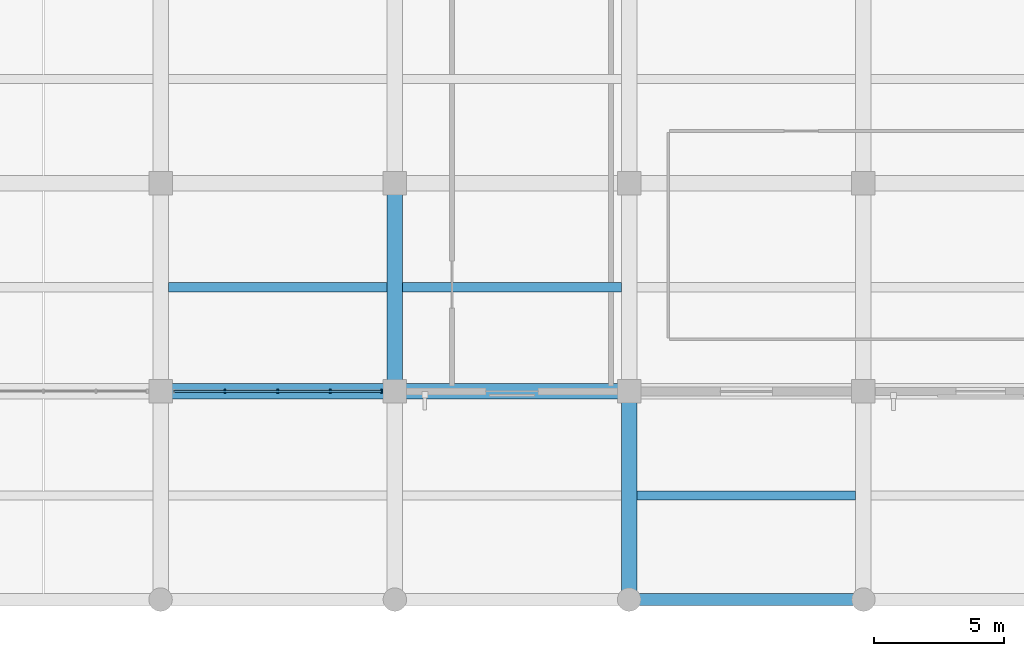
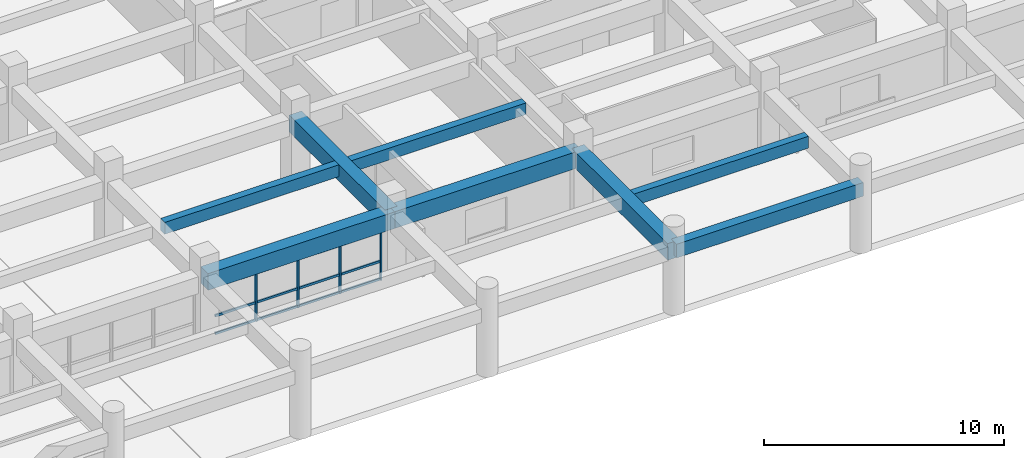
# One storey, part 14 of 40: 8 beams, 7 members, 1 element without a shape of its own.
"""IFC4 building model written with IfcOpenShell, lengths in metres."""

from ifc_helpers import new_model, si_unit, direction, frame, origin, origin_2d, place, context, subcontext, project, spatial, rectangle, extrude, material, material_profile, profile_set, type_object, element, aggregate, save


model = new_model("IFC4")

# Units and contexts
model_context = context("Model", 3, precision=1e-05, world=origin(), true_north=direction((0.0, 1.0)))
body_context = subcontext(model_context, "Body", "Model", "MODEL_VIEW")
ifc_project = project(units=[si_unit("LENGTHUNIT", "METRE"), si_unit("AREAUNIT", "SQUARE_METRE"), si_unit("VOLUMEUNIT", "CUBIC_METRE"), si_unit("PLANEANGLEUNIT", "RADIAN"), si_unit("MASSUNIT", "GRAM", prefix="KILO")], contexts=[model_context])

# Site, building, storey
site_placement = place(None, origin())
site = spatial("IfcSite", under=ifc_project, at=site_placement, CompositionType="ELEMENT")
building_placement = place(site_placement, origin())
building = spatial("IfcBuilding", under=site, at=building_placement, Name="Zaverband Oceanarium and Marine Research Institute", CompositionType="ELEMENT")
storey_placement = place(building_placement, origin())
storey = spatial("IfcBuildingStorey", under=building, at=storey_placement, Name="L00", CompositionType="ELEMENT", Elevation=0.0)

# Beams
ifc_material_1 = material(Name="Concrete C40/50", Category="concrete")
ifc_material_profile_1 = material_profile(ifc_material_1, rectangle(XDim=0.60009765625, YDim=0.85009765625, at=origin_2d()), Name="RC600x850")
ifc_profile_set_1 = profile_set([ifc_material_profile_1], Name="Concrete C40/50")
beam_type_1 = type_object("IfcBeamType", Name="BM-600x850", PredefinedType="BEAM", material=ifc_profile_set_1)
for number, where, z_axis, x_axis, name in (
    (1, (126.0, 8.0, 3.02490234375), (1.0, 0.0, 0.0), (0.0, 1.0, 0.0), "Primary floor girder BM-600x850"),
    (2, (135.0, 8.0, 3.02490234375), (1.0, 0.0, 0.0), (0.0, 1.0, 0.0), "Primary floor girder BM-600x850"),
):
    element("IfcBeam", number, at=place(storey_placement, frame(where, z_axis=z_axis, x_axis=x_axis)), inside=storey, type_object=beam_type_1, Name=name, PredefinedType="BEAM", context=body_context, shape_type="SweptSolid", body=[
        extrude(rectangle(XDim=0.60009765625, YDim=0.85009765625, at=origin_2d()), origin(), (0.0, 0.0, 1.0), 9.0),
    ])
for number, where, z_axis, x_axis, name in (
    (3, (135.0, 8.0, 3.02490234375), (0.0, 1.0, 0.0), (-1.0, 0.0, 0.0), "Primary floor girder BM-600x850"),
    (4, (144.0, 0.0, 3.02490234375), (0.0, 1.0, 0.0), (-1.0, 0.0, 0.0), "Primary floor girder BM-600x850"),
):
    element("IfcBeam", number, at=place(storey_placement, frame(where, z_axis=z_axis, x_axis=x_axis)), inside=storey, type_object=beam_type_1, Name=name, PredefinedType="BEAM", context=body_context, shape_type="SweptSolid", body=[
        extrude(rectangle(XDim=0.60009765625, YDim=0.85009765625, at=origin_2d()), origin(), (0.0, 0.0, 1.0), 8.0),
    ])
ifc_material_profile_2 = material_profile(ifc_material_1, rectangle(XDim=0.35009765625, YDim=0.60009765625, at=origin_2d()), Name="RC350x600")
ifc_profile_set_2 = profile_set([ifc_material_profile_2], Name="Concrete C40/50")
beam_type_2 = type_object("IfcBeamType", Name="JST-350x600", PredefinedType="JOIST", material=ifc_profile_set_2)
for number, where, z_axis, x_axis, name in (
    (5, (126.300048828125, 12.0, 3.14990234375), (1.0, 0.0, 0.0), (0.0, 1.0, 0.0), "Secondary floor joist JST-350x600"),
    (6, (135.300048828125, 12.0, 3.14990234375), (1.0, 0.0, 0.0), (0.0, 1.0, 0.0), "Secondary floor joist JST-350x600"),
    (7, (144.300048828125, 4.0, 3.14990234375), (1.0, 0.0, 0.0), (0.0, 1.0, 0.0), "Secondary floor joist JST-350x600"),
):
    element("IfcBeam", number, at=place(storey_placement, frame(where, z_axis=z_axis, x_axis=x_axis)), inside=storey, type_object=beam_type_2, Name=name, PredefinedType="JOIST", context=body_context, shape_type="SweptSolid", body=[
        extrude(rectangle(XDim=0.35009765625, YDim=0.60009765625, at=origin_2d()), origin(), (0.0, 0.0, 1.0), 8.39990234375),
    ])

# Curtain wall, members
ifc_material_2 = material(Name="Thermally broken anodized aluminium and solar-control glass", Category="aluminium")
curtain_wall_type = type_object("IfcCurtainWallType", Name="CW-UNIT-1800", PredefinedType="NOTDEFINED", material=ifc_material_2)
curtain_wall_placement = place(storey_placement, origin())
curtain_wall = element("IfcCurtainWall", 8, at=curtain_wall_placement, inside=storey, type_object=curtain_wall_type, Name="Unitised glazed curtain wall CW-008", PredefinedType="NOTDEFINED")
ifc_material_3 = material(Name="Thermally broken anodized aluminium", Category="aluminium")
ifc_material_profile_3 = material_profile(ifc_material_3, rectangle(XDim=0.070068359375, YDim=0.14990234375, at=origin_2d()), Name="AL-MUL-70x150")
ifc_profile_set_3 = profile_set([ifc_material_profile_3], Name="Thermally broken anodized aluminium")
member_type_1 = type_object("IfcMemberType", Name="MUL-70x150", PredefinedType="MULLION", material=ifc_profile_set_3)
member_1_placement = place(storey_placement, frame((128.4775390625, 8.0, 0.0), z_axis=(0.0, 0.0, 1.0), x_axis=(1.0, 0.0, 0.0)))
member_1 = element("IfcMember", 9, at=member_1_placement, type_object=member_type_1, Name="Curtain wall vertical mullion MUL-70x150", PredefinedType="MULLION", context=body_context, shape_type="SweptSolid", body=[
    extrude(rectangle(XDim=0.070068359375, YDim=0.14990234375, at=origin_2d()), origin(), (0.0, 0.0, 1.0), 2.489990234375),
])
member_2_placement = place(storey_placement, frame((130.5, 8.0, 0.0), z_axis=(0.0, 0.0, 1.0), x_axis=(1.0, 0.0, 0.0)))
member_2 = element("IfcMember", 10, at=member_2_placement, type_object=member_type_1, Name="Curtain wall vertical mullion MUL-70x150", PredefinedType="MULLION", context=body_context, shape_type="SweptSolid", body=[
    extrude(rectangle(XDim=0.070068359375, YDim=0.14990234375, at=origin_2d()), origin(), (0.0, 0.0, 1.0), 2.489990234375),
])
member_3_placement = place(storey_placement, frame((132.5224609375, 8.0, 0.0), z_axis=(0.0, 0.0, 1.0), x_axis=(1.0, 0.0, 0.0)))
member_3 = element("IfcMember", 11, at=member_3_placement, type_object=member_type_1, Name="Curtain wall vertical mullion MUL-70x150", PredefinedType="MULLION", context=body_context, shape_type="SweptSolid", body=[
    extrude(rectangle(XDim=0.070068359375, YDim=0.14990234375, at=origin_2d()), origin(), (0.0, 0.0, 1.0), 2.489990234375),
])
member_4_placement = place(storey_placement, frame((134.485107421875, 8.0, 0.0), z_axis=(0.0, 0.0, 1.0), x_axis=(1.0, 0.0, 0.0)))
member_4 = element("IfcMember", 12, at=member_4_placement, type_object=member_type_1, Name="Curtain wall vertical mullion MUL-70x150", PredefinedType="MULLION", context=body_context, shape_type="SweptSolid", body=[
    extrude(rectangle(XDim=0.070068359375, YDim=0.14990234375, at=origin_2d()), origin(), (0.0, 0.0, 1.0), 2.489990234375),
])

# Beam
ifc_material_profile_4 = material_profile(ifc_material_1, rectangle(XDim=0.449951171875, YDim=0.699951171875, at=origin_2d()), Name="RC450x700")
ifc_profile_set_4 = profile_set([ifc_material_profile_4], Name="Concrete C40/50")
beam_type_3 = type_object("IfcBeamType", Name="SPN-450x700", PredefinedType="SPANDREL", material=ifc_profile_set_4)
beam_placement = place(storey_placement, frame((144.0, 0.0, 3.10009765625), z_axis=(1.0, 0.0, 0.0), x_axis=(0.0, 1.0, 0.0)))
element("IfcBeam", 13, at=beam_placement, inside=storey, type_object=beam_type_3, Name="Perimeter spandrel beam SPN-450x700", PredefinedType="SPANDREL", context=body_context, shape_type="SweptSolid", body=[
    extrude(rectangle(XDim=0.449951171875, YDim=0.699951171875, at=origin_2d()), origin(), (0.0, 0.0, 1.0), 9.0),
])

# Member
ifc_material_profile_5 = material_profile(ifc_material_3, rectangle(XDim=0.070068359375, YDim=0.114990234375, at=origin_2d()), Name="AL-TRN-70x115")
ifc_profile_set_5 = profile_set([ifc_material_profile_5], Name="Thermally broken anodized aluminium")
member_type_2 = type_object("IfcMemberType", Name="TRN-70x115", PredefinedType="USERDEFINED", material=ifc_profile_set_5)
member_5_placement = place(storey_placement, frame((126.514892578125, 8.0, 0.050048828125), z_axis=(1.0, 0.0, 0.0), x_axis=(0.0, 1.0, 0.0)))
member_5 = element("IfcMember", 14, at=member_5_placement, type_object=member_type_2, Name="Curtain wall horizontal transom TRN-70x115", ObjectType="TRANSOM", PredefinedType="USERDEFINED", context=body_context, shape_type="SweptSolid", body=[
    extrude(rectangle(XDim=0.070068359375, YDim=0.114990234375, at=origin_2d()), origin(), (0.0, 0.0, 1.0), 7.97021484375),
])

member_6_placement = place(storey_placement, frame((126.514892578125, 8.0, 0.951904296875), z_axis=(1.0, 0.0, 0.0), x_axis=(0.0, 1.0, 0.0)))
member_6 = element("IfcMember", 15, at=member_6_placement, type_object=member_type_2, Name="Curtain wall horizontal transom TRN-70x115", ObjectType="TRANSOM", PredefinedType="USERDEFINED", context=body_context, shape_type="SweptSolid", body=[
    extrude(rectangle(XDim=0.070068359375, YDim=0.114990234375, at=origin_2d()), origin(), (0.0, 0.0, 1.0), 7.97021484375),
])

member_7_placement = place(storey_placement, frame((126.514892578125, 8.0, 2.43994140625), z_axis=(1.0, 0.0, 0.0), x_axis=(0.0, 1.0, 0.0)))
member_7 = element("IfcMember", 16, at=member_7_placement, type_object=member_type_2, Name="Curtain wall horizontal transom TRN-70x115", ObjectType="TRANSOM", PredefinedType="USERDEFINED", context=body_context, shape_type="SweptSolid", body=[
    extrude(rectangle(XDim=0.070068359375, YDim=0.114990234375, at=origin_2d()), origin(), (0.0, 0.0, 1.0), 7.97021484375),
])

aggregate(curtain_wall, [member_1, member_2, member_3, member_4, member_5, member_6, member_7])

save(model, "model.ifc")
